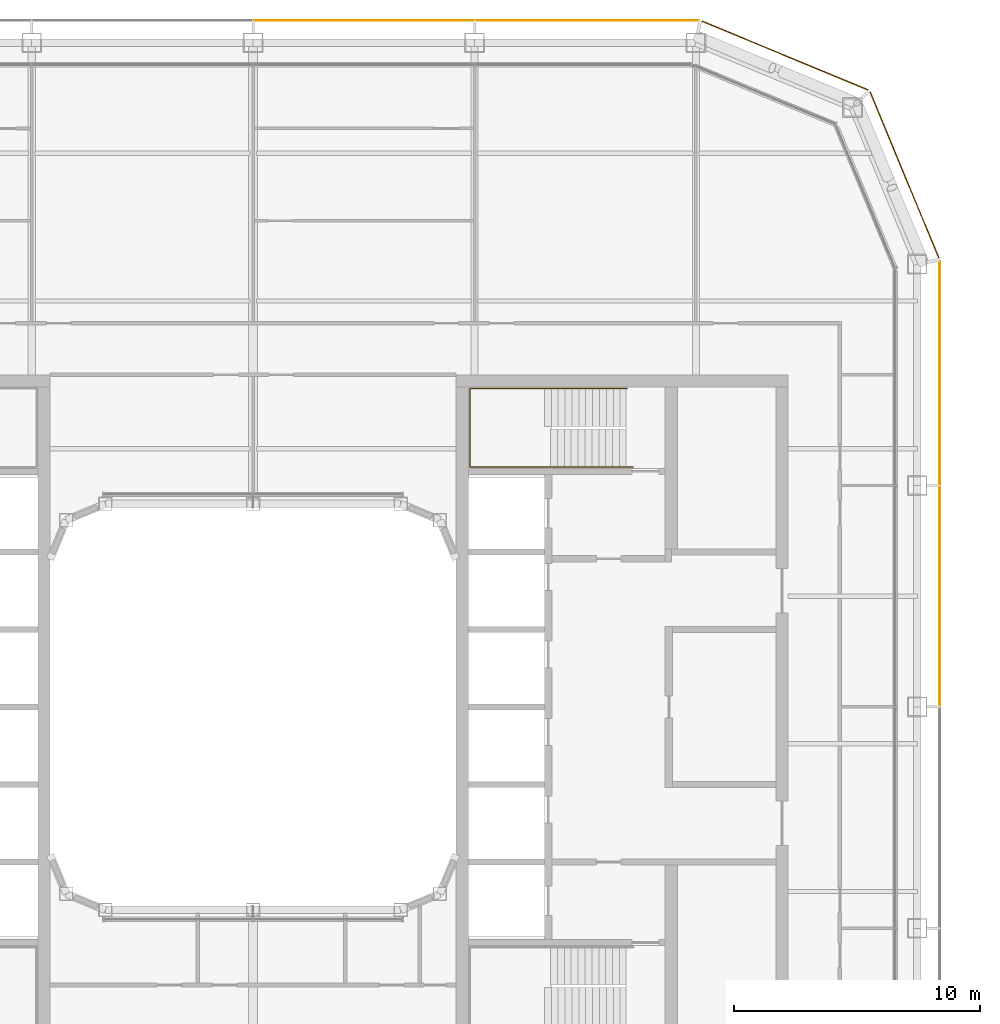
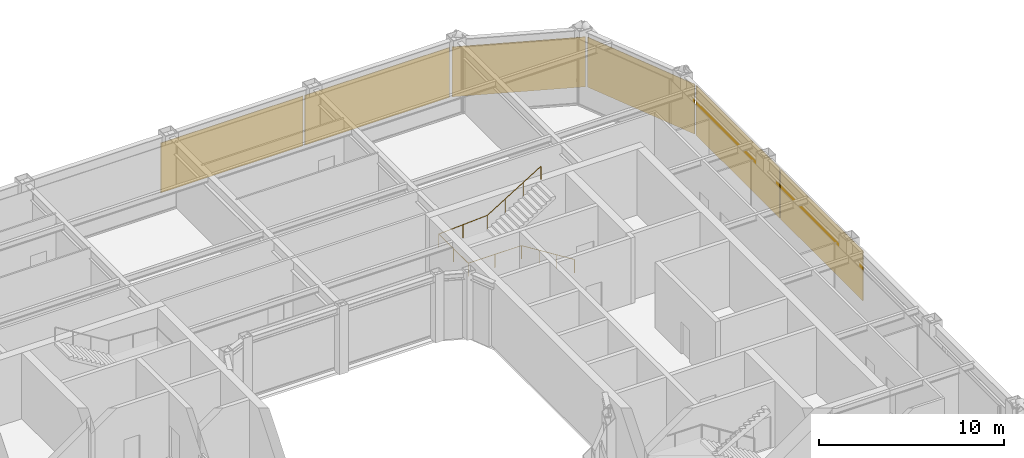
# One storey, part 22 of 23: 6 coverings, 1 railing.
"""IFC4 building model written with IfcOpenShell, lengths in metres."""

from ifc_helpers import new_model, si_unit, direction, frame, origin, origin_2d, place, context, subcontext, project, spatial, rectangle, circle, extrude, material, layer, layer_set, type_object, element, save


model = new_model("IFC4")

# Units and contexts
model_context = context("Model", 3, precision=1e-05, world=origin(), true_north=direction((0.0, 1.0)))
body_context = subcontext(model_context, "Body", "Model", "MODEL_VIEW")
ifc_project = project(units=[si_unit("LENGTHUNIT", "METRE"), si_unit("AREAUNIT", "SQUARE_METRE"), si_unit("VOLUMEUNIT", "CUBIC_METRE"), si_unit("PLANEANGLEUNIT", "RADIAN"), si_unit("MASSUNIT", "GRAM", prefix="KILO")], contexts=[model_context])

# Site, building, storey
site_placement = place(None, origin())
site = spatial("IfcSite", under=ifc_project, at=site_placement, CompositionType="ELEMENT")
building_placement = place(site_placement, origin())
building = spatial("IfcBuilding", under=site, at=building_placement, Name="Siwar Civic Tower", CompositionType="ELEMENT")
storey_placement = place(building_placement, frame((0.0, 0.0, 237.699951171875)))
storey = spatial("IfcBuildingStorey", under=building, at=storey_placement, Name="L51", CompositionType="ELEMENT", Elevation=237.699951171875)

# Railing
ifc_material_1 = material(Name="Stainless steel", Category="steel")
railing_type = type_object("IfcRailingType", Name="CORE-STAIR-HANDRAIL", PredefinedType="HANDRAIL", material=ifc_material_1)
railing_placement = place(storey_placement, frame((15.449951171875, 9.758056640625, 0.173095703125)))
element("IfcRailing", 1, at=railing_placement, inside=storey, type_object=railing_type, Name="Stair handrail ST3", PredefinedType="HANDRAIL", context=body_context, shape_type="SweptSolid", body=[
    extrude(circle(Radius=0.02001953125, at=origin_2d()), frame((0.0, 0.0, 0.8798828125), z_axis=(-0.847063342986, 0.0, 0.531491950051), x_axis=(0.0, -1.0, 0.0)), (0.0, 0.0, 1.0), 3.90771484375),
    extrude(circle(Radius=0.02001953125, at=origin_2d()), frame((-3.31005859375, 0.0, 2.956787109375), z_axis=(-1.0, 0.0, 0.0), x_axis=(0.0, -1.0, 0.0)), (0.0, 0.0, 1.0), 3.331787109375),
    extrude(circle(Radius=0.02001953125, at=origin_2d()), frame((-6.641845703125, 0.0, 2.956787109375), z_axis=(0.0, 1.0, 0.0), x_axis=(-1.0, 0.0, 0.0)), (0.0, 0.0, 1.0), 3.183837890625),
    extrude(circle(Radius=0.02001953125, at=origin_2d()), frame((-6.641845703125, 3.183837890625, 2.956787109375), z_axis=(0.99837434197, 0.0, 0.056997134106), x_axis=(0.0, 1.0, 0.0)), (0.0, 0.0, 1.0), 3.036865234375),
    extrude(circle(Radius=0.02001953125, at=origin_2d()), frame((-3.60986328125, 3.183837890625, 3.1298828125), z_axis=(0.850606129759, 0.0, 0.525803396734), x_axis=(0.0, 1.0, 0.0)), (0.0, 0.0, 1.0), 3.949951171875),
    extrude(circle(Radius=0.02001953125, at=origin_2d()), origin(), (0.0, 0.0, 1.0), 0.85986328125),
    extrude(circle(Radius=0.02001953125, at=origin_2d()), frame((-1.103271484375, 0.0, 0.6923828125)), (0.0, 0.0, 1.0), 0.85986328125),
    extrude(circle(Radius=0.02001953125, at=origin_2d()), frame((-2.206787109375, 0.0, 1.384521484375)), (0.0, 0.0, 1.0), 0.85986328125),
    extrude(circle(Radius=0.02001953125, at=origin_2d()), frame((-3.31005859375, 0.0, 2.076904296875)), (0.0, 0.0, 1.0), 0.85986328125),
    extrude(circle(Radius=0.02001953125, at=origin_2d()), frame((-4.97607421875, 0.0, 2.076904296875)), (0.0, 0.0, 1.0), 0.85986328125),
    extrude(circle(Radius=0.02001953125, at=origin_2d()), frame((-6.641845703125, 0.0, 2.076904296875)), (0.0, 0.0, 1.0), 0.85986328125),
    extrude(circle(Radius=0.02001953125, at=origin_2d()), frame((-6.641845703125, 1.591796875, 2.076904296875)), (0.0, 0.0, 1.0), 0.85986328125),
    extrude(circle(Radius=0.02001953125, at=origin_2d()), frame((-6.641845703125, 3.183837890625, 2.076904296875)), (0.0, 0.0, 1.0), 0.85986328125),
    extrude(circle(Radius=0.02001953125, at=origin_2d()), frame((-5.1259765625, 3.183837890625, 2.16357421875)), (0.0, 0.0, 1.0), 0.85986328125),
    extrude(circle(Radius=0.02001953125, at=origin_2d()), frame((-3.60986328125, 3.183837890625, 2.25)), (0.0, 0.0, 1.0), 0.85986328125),
    extrude(circle(Radius=0.02001953125, at=origin_2d()), frame((-2.489990234375, 3.183837890625, 2.9423828125)), (0.0, 0.0, 1.0), 0.85986328125),
    extrude(circle(Radius=0.02001953125, at=origin_2d()), frame((-1.369873046875, 3.183837890625, 3.634521484375)), (0.0, 0.0, 1.0), 0.85986328125),
    extrude(circle(Radius=0.02001953125, at=origin_2d()), frame((-0.25, 3.183837890625, 4.326904296875)), (0.0, 0.0, 1.0), 0.85986328125),
])

# Coverings
ifc_material_2 = material(Name="Perforated aluminium cassette, pale metal", Category="aluminium")
ifc_layer = layer(ifc_material_2, 0.0400390625)
ifc_layer_set = layer_set([ifc_layer], Name="Perforated aluminium cassette, pale metal")
covering_type = type_object("IfcCoveringType", Name="ENV-OUTER SKIN OS-1", PredefinedType="CLADDING", material=ifc_layer_set)
covering_1_placement = place(storey_placement, frame((27.89990234375, 4.5, -0.14990234375), z_axis=(0.0, 0.0, 1.0), x_axis=(0.0, 1.0, 0.0)))
element("IfcCovering", 2, at=covering_1_placement, inside=storey, type_object=covering_type, Name="OUTER SKIN OS-1 E 3", PredefinedType="CLADDING", context=body_context, shape_type="SweptSolid", body=[
    extrude(rectangle(XDim=8.89990234375, YDim=0.0400390625, at=origin_2d()), origin(), (0.0, 0.0, 1.0), 3.300048828125),
])
covering_2_placement = place(storey_placement, frame((27.89990234375, 13.57958984375, -0.14990234375), z_axis=(0.0, 0.0, 1.0), x_axis=(0.0, 1.0, 0.0)))
element("IfcCovering", 3, at=covering_2_placement, inside=storey, type_object=covering_type, Name="OUTER SKIN OS-1 E 4", PredefinedType="CLADDING", context=body_context, shape_type="SweptSolid", body=[
    extrude(rectangle(XDim=9.05908203125, YDim=0.0400390625, at=origin_2d()), origin(), (0.0, 0.0, 1.0), 3.300048828125),
])
for number, where, z_axis, x_axis, name in (
    (4, (26.476318359375, 21.615966796875, -0.14990234375), (0.0, 0.0, 1.0), (-0.382683432365, 0.923879532511, 0.0), "OUTER SKIN OS-1 NE1 1"),
    (5, (21.615966796875, 26.476318359375, -0.14990234375), (0.0, 0.0, 1.0), (-0.923879532511, 0.382683432365, 0.0), "OUTER SKIN OS-1 NE2 1"),
):
    element("IfcCovering", number, at=place(storey_placement, frame(where, z_axis=z_axis, x_axis=x_axis)), inside=storey, type_object=covering_type, Name=name, PredefinedType="CLADDING", context=body_context, shape_type="SweptSolid", body=[
        extrude(rectangle(XDim=7.300048828125, YDim=0.0400390625, at=origin_2d()), origin(), (0.0, 0.0, 1.0), 3.300048828125),
    ])
covering_3_placement = place(storey_placement, frame((13.57958984375, 27.89990234375, -0.14990234375), z_axis=(0.0, 0.0, 1.0), x_axis=(-1.0, 0.0, 0.0)))
element("IfcCovering", 6, at=covering_3_placement, inside=storey, type_object=covering_type, Name="OUTER SKIN OS-1 N 1", PredefinedType="CLADDING", context=body_context, shape_type="SweptSolid", body=[
    extrude(rectangle(XDim=9.05908203125, YDim=0.0400390625, at=origin_2d()), origin(), (0.0, 0.0, 1.0), 3.300048828125),
])
covering_4_placement = place(storey_placement, frame((4.5, 27.89990234375, -0.14990234375), z_axis=(0.0, 0.0, 1.0), x_axis=(-1.0, 0.0, 0.0)))
element("IfcCovering", 7, at=covering_4_placement, inside=storey, type_object=covering_type, Name="OUTER SKIN OS-1 N 2", PredefinedType="CLADDING", context=body_context, shape_type="SweptSolid", body=[
    extrude(rectangle(XDim=8.89990234375, YDim=0.0400390625, at=origin_2d()), origin(), (0.0, 0.0, 1.0), 3.300048828125),
])

save(model, "model.ifc")
